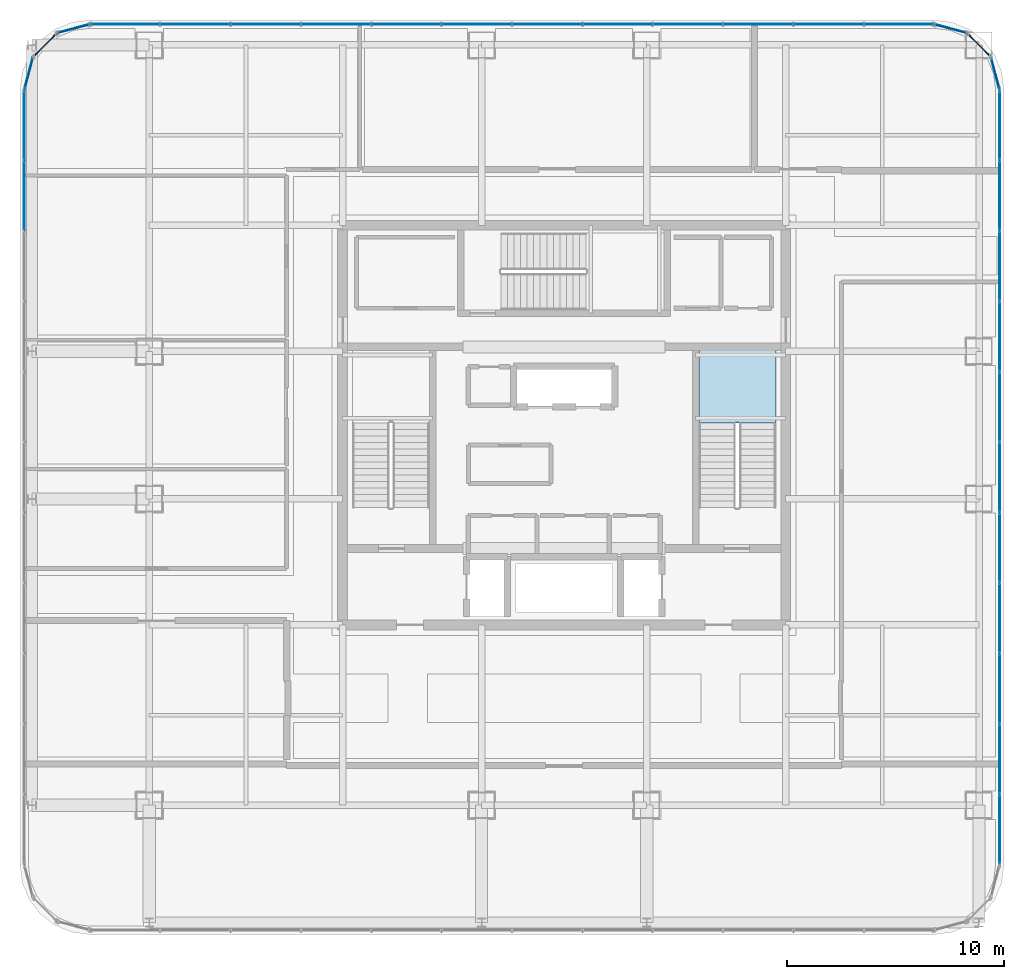
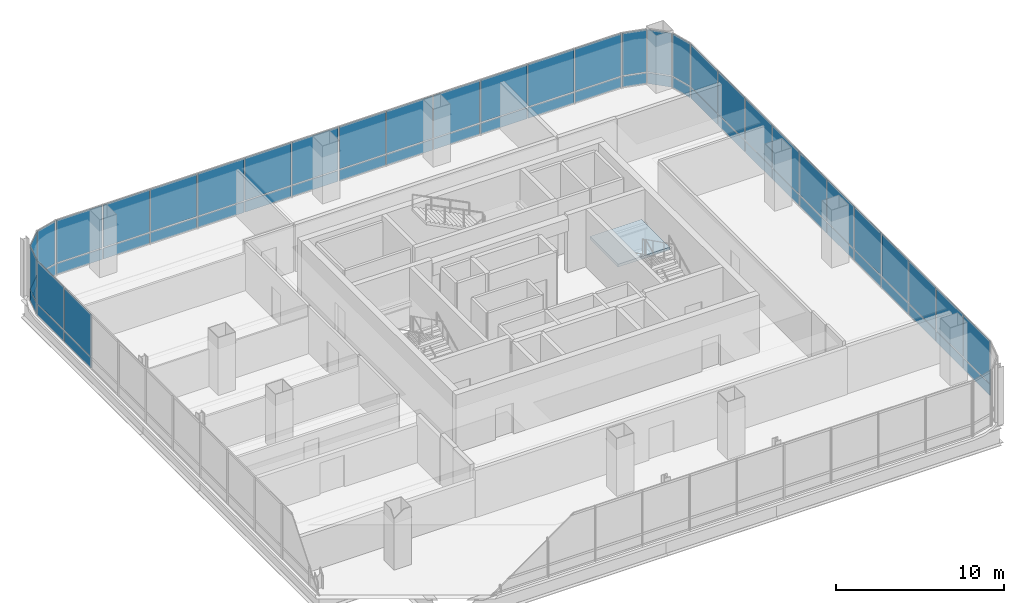
# One storey, part 34 of 42: 62 plates, 1 slab, 10 elements without a shape of their own.
"""IFC4 building model written with IfcOpenShell, lengths in metres."""

from ifc_helpers import new_model, si_unit, direction, frame, origin, origin_2d, place, context, subcontext, project, spatial, polyline, rectangle, outline, extrude, material, layer, layer_set, type_object, element, aggregate, save


model = new_model("IFC4")

# Units and contexts
model_context = context("Model", 3, precision=1e-05, world=origin(), true_north=direction((0.0, 1.0)))
body_context = subcontext(model_context, "Body", "Model", "MODEL_VIEW")
ifc_project = project(units=[si_unit("LENGTHUNIT", "METRE"), si_unit("AREAUNIT", "SQUARE_METRE"), si_unit("VOLUMEUNIT", "CUBIC_METRE"), si_unit("PLANEANGLEUNIT", "RADIAN"), si_unit("MASSUNIT", "GRAM", prefix="KILO")], contexts=[model_context])

# Site, building, storey
site_placement = place(None, origin())
site = spatial("IfcSite", under=ifc_project, at=site_placement, CompositionType="ELEMENT")
building_placement = place(site_placement, origin())
building = spatial("IfcBuilding", under=site, at=building_placement, Name="Punatoya Terracotta Tower", CompositionType="ELEMENT")
storey_placement = place(building_placement, frame((0.0, 0.0, 325.800048828125)))
storey = spatial("IfcBuildingStorey", under=building, at=storey_placement, Name="L77", CompositionType="ELEMENT", Elevation=325.800048828125)

# Curtain wall, plates
ifc_material_1 = material(Name="Aluminium 6063-T6 + Double Low-E Glass", Category="aluminium")
curtain_wall_type = type_object("IfcCurtainWallType", Name="CW-OBS", PredefinedType="NOTDEFINED", material=ifc_material_1)
curtain_wall_1_placement = place(storey_placement, origin())
curtain_wall_1 = element("IfcCurtainWall", 1, at=curtain_wall_1_placement, inside=storey, type_object=curtain_wall_type, Name="L77 Curtain Wall CW-L77-E05-1", PredefinedType="NOTDEFINED")
ifc_material_2 = material(Name="Laminated Observation Low-Iron Glass", Category="glass")
ifc_layer_1 = layer(ifc_material_2, 0.0380859375)
ifc_layer_set_1 = layer_set([ifc_layer_1], Name="Laminated Observation Low-Iron Glass")
plate_type_1 = type_object("IfcPlateType", Name="PLT-GLZ-38", PredefinedType="CURTAIN_PANEL", material=ifc_layer_set_1)
plate_1_placement = place(storey_placement, frame((20.050048828125, -18.615478515625, 0.89013671875), z_axis=(0.0, 0.0, 1.0), x_axis=(0.0, 1.0, 0.0)))
plate_1 = element("IfcPlate", 2, at=plate_1_placement, type_object=plate_type_1, Name="CW-L77-E05-1 Vision Glass Panel 1", PredefinedType="CURTAIN_PANEL", context=body_context, shape_type="SweptSolid", body=[
    extrude(rectangle(XDim=3.158203125, YDim=0.0380859375, at=origin_2d()), origin(), (0.0, 0.0, 1.0), 3.070068359375),
])
plate_2_placement = place(storey_placement, frame((20.050048828125, -15.372314453125, 0.89013671875), z_axis=(0.0, 0.0, 1.0), x_axis=(0.0, 1.0, 0.0)))
plate_2 = element("IfcPlate", 3, at=plate_2_placement, type_object=plate_type_1, Name="CW-L77-E05-1 Vision Glass Panel 2", PredefinedType="CURTAIN_PANEL", context=body_context, shape_type="SweptSolid", body=[
    extrude(rectangle(XDim=3.158203125, YDim=0.0380859375, at=origin_2d()), origin(), (0.0, 0.0, 1.0), 3.070068359375),
])
plate_3_placement = place(storey_placement, frame((20.050048828125, -12.129150390625, 0.89013671875), z_axis=(0.0, 0.0, 1.0), x_axis=(0.0, 1.0, 0.0)))
plate_3 = element("IfcPlate", 4, at=plate_3_placement, type_object=plate_type_1, Name="CW-L77-E05-1 Vision Glass Panel 3", PredefinedType="CURTAIN_PANEL", context=body_context, shape_type="SweptSolid", body=[
    extrude(rectangle(XDim=3.158203125, YDim=0.0380859375, at=origin_2d()), origin(), (0.0, 0.0, 1.0), 3.070068359375),
])
plate_4_placement = place(storey_placement, frame((20.050048828125, -8.885986328125, 0.89013671875), z_axis=(0.0, 0.0, 1.0), x_axis=(0.0, 1.0, 0.0)))
plate_4 = element("IfcPlate", 5, at=plate_4_placement, type_object=plate_type_1, Name="CW-L77-E05-1 Vision Glass Panel 4", PredefinedType="CURTAIN_PANEL", context=body_context, shape_type="SweptSolid", body=[
    extrude(rectangle(XDim=3.158203125, YDim=0.0380859375, at=origin_2d()), origin(), (0.0, 0.0, 1.0), 3.070068359375),
])
plate_5_placement = place(storey_placement, frame((20.050048828125, -5.64306640625, 0.89013671875), z_axis=(0.0, 0.0, 1.0), x_axis=(0.0, 1.0, 0.0)))
plate_5 = element("IfcPlate", 6, at=plate_5_placement, type_object=plate_type_1, Name="CW-L77-E05-1 Vision Glass Panel 5", PredefinedType="CURTAIN_PANEL", context=body_context, shape_type="SweptSolid", body=[
    extrude(rectangle(XDim=3.158203125, YDim=0.0380859375, at=origin_2d()), origin(), (0.0, 0.0, 1.0), 3.070068359375),
])
plate_6_placement = place(storey_placement, frame((20.050048828125, -2.39990234375, 0.89013671875), z_axis=(0.0, 0.0, 1.0), x_axis=(0.0, 1.0, 0.0)))
plate_6 = element("IfcPlate", 7, at=plate_6_placement, type_object=plate_type_1, Name="CW-L77-E05-1 Vision Glass Panel 6", PredefinedType="CURTAIN_PANEL", context=body_context, shape_type="SweptSolid", body=[
    extrude(rectangle(XDim=3.158203125, YDim=0.0380859375, at=origin_2d()), origin(), (0.0, 0.0, 1.0), 3.070068359375),
])
plate_7_placement = place(storey_placement, frame((20.050048828125, 0.843017578125, 0.89013671875), z_axis=(0.0, 0.0, 1.0), x_axis=(0.0, 1.0, 0.0)))
plate_7 = element("IfcPlate", 8, at=plate_7_placement, type_object=plate_type_1, Name="CW-L77-E05-1 Vision Glass Panel 7", PredefinedType="CURTAIN_PANEL", context=body_context, shape_type="SweptSolid", body=[
    extrude(rectangle(XDim=3.158203125, YDim=0.0380859375, at=origin_2d()), origin(), (0.0, 0.0, 1.0), 3.070068359375),
])
plate_8_placement = place(storey_placement, frame((20.050048828125, 4.086181640625, 0.89013671875), z_axis=(0.0, 0.0, 1.0), x_axis=(0.0, 1.0, 0.0)))
plate_8 = element("IfcPlate", 9, at=plate_8_placement, type_object=plate_type_1, Name="CW-L77-E05-1 Vision Glass Panel 8", PredefinedType="CURTAIN_PANEL", context=body_context, shape_type="SweptSolid", body=[
    extrude(rectangle(XDim=3.158203125, YDim=0.0380859375, at=origin_2d()), origin(), (0.0, 0.0, 1.0), 3.070068359375),
])
plate_9_placement = place(storey_placement, frame((20.050048828125, 7.3291015625, 0.89013671875), z_axis=(0.0, 0.0, 1.0), x_axis=(0.0, 1.0, 0.0)))
plate_9 = element("IfcPlate", 10, at=plate_9_placement, type_object=plate_type_1, Name="CW-L77-E05-1 Vision Glass Panel 9", PredefinedType="CURTAIN_PANEL", context=body_context, shape_type="SweptSolid", body=[
    extrude(rectangle(XDim=3.158203125, YDim=0.0380859375, at=origin_2d()), origin(), (0.0, 0.0, 1.0), 3.070068359375),
])
plate_10_placement = place(storey_placement, frame((20.050048828125, 10.572265625, 0.89013671875), z_axis=(0.0, 0.0, 1.0), x_axis=(0.0, 1.0, 0.0)))
plate_10 = element("IfcPlate", 11, at=plate_10_placement, type_object=plate_type_1, Name="CW-L77-E05-1 Vision Glass Panel 10", PredefinedType="CURTAIN_PANEL", context=body_context, shape_type="SweptSolid", body=[
    extrude(rectangle(XDim=3.158203125, YDim=0.0380859375, at=origin_2d()), origin(), (0.0, 0.0, 1.0), 3.070068359375),
])
plate_11_placement = place(storey_placement, frame((20.050048828125, 13.8154296875, 0.89013671875), z_axis=(0.0, 0.0, 1.0), x_axis=(0.0, 1.0, 0.0)))
plate_11 = element("IfcPlate", 12, at=plate_11_placement, type_object=plate_type_1, Name="CW-L77-E05-1 Vision Glass Panel 11", PredefinedType="CURTAIN_PANEL", context=body_context, shape_type="SweptSolid", body=[
    extrude(rectangle(XDim=3.158203125, YDim=0.0380859375, at=origin_2d()), origin(), (0.0, 0.0, 1.0), 3.070068359375),
])

# Curtain wall, plate
curtain_wall_2_placement = place(storey_placement, origin())
curtain_wall_2 = element("IfcCurtainWall", 13, at=curtain_wall_2_placement, inside=storey, type_object=curtain_wall_type, Name="L77 Curtain Wall CW-L77-CRN06", PredefinedType="NOTDEFINED")
plate_12_placement = place(storey_placement, frame((19.848388671875, 16.193115234375, 0.89013671875), z_axis=(0.0, 0.0, 1.0), x_axis=(-0.257741620719, 0.966213877436, 0.0)))
plate_12 = element("IfcPlate", 14, at=plate_12_placement, type_object=plate_type_1, Name="CW-L77-CRN06 Vision Glass Panel 1", PredefinedType="CURTAIN_PANEL", context=body_context, shape_type="SweptSolid", body=[
    extrude(rectangle(XDim=1.47998046875, YDim=0.0380859375, at=origin_2d()), origin(), (0.0, 0.0, 1.0), 3.070068359375),
])

curtain_wall_3_placement = place(storey_placement, origin())
curtain_wall_3 = element("IfcCurtainWall", 15, at=curtain_wall_3_placement, inside=storey, type_object=curtain_wall_type, Name="L77 Curtain Wall CW-L77-CRN07", PredefinedType="NOTDEFINED")
plate_13_placement = place(storey_placement, frame((19.097900390625, 17.497802734375, 0.89013671875), z_axis=(0.0, 0.0, 1.0), x_axis=(-0.707106781187, 0.707106781187, 0.0)))
plate_13 = element("IfcPlate", 16, at=plate_13_placement, type_object=plate_type_1, Name="CW-L77-CRN07 Vision Glass Panel 1", PredefinedType="CURTAIN_PANEL", context=body_context, shape_type="SweptSolid", body=[
    extrude(rectangle(XDim=1.467041015625, YDim=0.0380859375, at=origin_2d()), origin(), (0.0, 0.0, 1.0), 3.070068359375),
])

curtain_wall_4_placement = place(storey_placement, origin())
curtain_wall_4 = element("IfcCurtainWall", 17, at=curtain_wall_4_placement, inside=storey, type_object=curtain_wall_type, Name="L77 Curtain Wall CW-L77-CRN08", PredefinedType="NOTDEFINED")
plate_14_placement = place(storey_placement, frame((17.79296875, 18.248291015625, 0.89013671875), z_axis=(0.0, 0.0, 1.0), x_axis=(-0.966213877436, 0.257741620719, 0.0)))
plate_14 = element("IfcPlate", 18, at=plate_14_placement, type_object=plate_type_1, Name="CW-L77-CRN08 Vision Glass Panel 1", PredefinedType="CURTAIN_PANEL", context=body_context, shape_type="SweptSolid", body=[
    extrude(rectangle(XDim=1.47998046875, YDim=0.0380859375, at=origin_2d()), origin(), (0.0, 0.0, 1.0), 3.070068359375),
])

# Curtain wall, plates
curtain_wall_5_placement = place(storey_placement, origin())
curtain_wall_5 = element("IfcCurtainWall", 19, at=curtain_wall_5_placement, inside=storey, type_object=curtain_wall_type, Name="L77 Curtain Wall CW-L77-N09-1", PredefinedType="NOTDEFINED")
plate_15_placement = place(storey_placement, frame((15.417236328125, 18.449951171875, 0.89013671875), z_axis=(0.0, 0.0, 1.0), x_axis=(-1.0, 0.0, 0.0)))
plate_15 = element("IfcPlate", 20, at=plate_15_placement, type_object=plate_type_1, Name="CW-L77-N09-1 Vision Glass Panel 1", PredefinedType="CURTAIN_PANEL", context=body_context, shape_type="SweptSolid", body=[
    extrude(rectangle(XDim=3.154541015625, YDim=0.0380859375, at=origin_2d()), origin(), (0.0, 0.0, 1.0), 3.070068359375),
])
plate_16_placement = place(storey_placement, frame((12.177734375, 18.449951171875, 0.89013671875), z_axis=(0.0, 0.0, 1.0), x_axis=(-1.0, 0.0, 0.0)))
plate_16 = element("IfcPlate", 21, at=plate_16_placement, type_object=plate_type_1, Name="CW-L77-N09-1 Vision Glass Panel 2", PredefinedType="CURTAIN_PANEL", context=body_context, shape_type="SweptSolid", body=[
    extrude(rectangle(XDim=3.154541015625, YDim=0.0380859375, at=origin_2d()), origin(), (0.0, 0.0, 1.0), 3.070068359375),
])
plate_17_placement = place(storey_placement, frame((8.938232421875, 18.449951171875, 0.89013671875), z_axis=(0.0, 0.0, 1.0), x_axis=(-1.0, 0.0, 0.0)))
plate_17 = element("IfcPlate", 22, at=plate_17_placement, type_object=plate_type_1, Name="CW-L77-N09-1 Vision Glass Panel 3", PredefinedType="CURTAIN_PANEL", context=body_context, shape_type="SweptSolid", body=[
    extrude(rectangle(XDim=3.154541015625, YDim=0.0380859375, at=origin_2d()), origin(), (0.0, 0.0, 1.0), 3.070068359375),
])
plate_18_placement = place(storey_placement, frame((5.69873046875, 18.449951171875, 0.89013671875), z_axis=(0.0, 0.0, 1.0), x_axis=(-1.0, 0.0, 0.0)))
plate_18 = element("IfcPlate", 23, at=plate_18_placement, type_object=plate_type_1, Name="CW-L77-N09-1 Vision Glass Panel 4", PredefinedType="CURTAIN_PANEL", context=body_context, shape_type="SweptSolid", body=[
    extrude(rectangle(XDim=3.154541015625, YDim=0.0380859375, at=origin_2d()), origin(), (0.0, 0.0, 1.0), 3.070068359375),
])
plate_19_placement = place(storey_placement, frame((2.459228515625, 18.449951171875, 0.89013671875), z_axis=(0.0, 0.0, 1.0), x_axis=(-1.0, 0.0, 0.0)))
plate_19 = element("IfcPlate", 24, at=plate_19_placement, type_object=plate_type_1, Name="CW-L77-N09-1 Vision Glass Panel 5", PredefinedType="CURTAIN_PANEL", context=body_context, shape_type="SweptSolid", body=[
    extrude(rectangle(XDim=3.154541015625, YDim=0.0380859375, at=origin_2d()), origin(), (0.0, 0.0, 1.0), 3.070068359375),
])
plate_20_placement = place(storey_placement, frame((-0.7802734375, 18.449951171875, 0.89013671875), z_axis=(0.0, 0.0, 1.0), x_axis=(-1.0, 0.0, 0.0)))
plate_20 = element("IfcPlate", 25, at=plate_20_placement, type_object=plate_type_1, Name="CW-L77-N09-1 Vision Glass Panel 6", PredefinedType="CURTAIN_PANEL", context=body_context, shape_type="SweptSolid", body=[
    extrude(rectangle(XDim=3.154541015625, YDim=0.0380859375, at=origin_2d()), origin(), (0.0, 0.0, 1.0), 3.070068359375),
])
plate_21_placement = place(storey_placement, frame((-4.019775390625, 18.449951171875, 0.89013671875), z_axis=(0.0, 0.0, 1.0), x_axis=(-1.0, 0.0, 0.0)))
plate_21 = element("IfcPlate", 26, at=plate_21_placement, type_object=plate_type_1, Name="CW-L77-N09-1 Vision Glass Panel 7", PredefinedType="CURTAIN_PANEL", context=body_context, shape_type="SweptSolid", body=[
    extrude(rectangle(XDim=3.154541015625, YDim=0.0380859375, at=origin_2d()), origin(), (0.0, 0.0, 1.0), 3.070068359375),
])
plate_22_placement = place(storey_placement, frame((-7.25927734375, 18.449951171875, 0.89013671875), z_axis=(0.0, 0.0, 1.0), x_axis=(-1.0, 0.0, 0.0)))
plate_22 = element("IfcPlate", 27, at=plate_22_placement, type_object=plate_type_1, Name="CW-L77-N09-1 Vision Glass Panel 8", PredefinedType="CURTAIN_PANEL", context=body_context, shape_type="SweptSolid", body=[
    extrude(rectangle(XDim=3.154541015625, YDim=0.0380859375, at=origin_2d()), origin(), (0.0, 0.0, 1.0), 3.070068359375),
])
plate_23_placement = place(storey_placement, frame((-10.498779296875, 18.449951171875, 0.89013671875), z_axis=(0.0, 0.0, 1.0), x_axis=(-1.0, 0.0, 0.0)))
plate_23 = element("IfcPlate", 28, at=plate_23_placement, type_object=plate_type_1, Name="CW-L77-N09-1 Vision Glass Panel 9", PredefinedType="CURTAIN_PANEL", context=body_context, shape_type="SweptSolid", body=[
    extrude(rectangle(XDim=3.154541015625, YDim=0.0380859375, at=origin_2d()), origin(), (0.0, 0.0, 1.0), 3.070068359375),
])
plate_24_placement = place(storey_placement, frame((-13.73828125, 18.449951171875, 0.89013671875), z_axis=(0.0, 0.0, 1.0), x_axis=(-1.0, 0.0, 0.0)))
plate_24 = element("IfcPlate", 29, at=plate_24_placement, type_object=plate_type_1, Name="CW-L77-N09-1 Vision Glass Panel 10", PredefinedType="CURTAIN_PANEL", context=body_context, shape_type="SweptSolid", body=[
    extrude(rectangle(XDim=3.154541015625, YDim=0.0380859375, at=origin_2d()), origin(), (0.0, 0.0, 1.0), 3.070068359375),
])
plate_25_placement = place(storey_placement, frame((-16.977783203125, 18.449951171875, 0.89013671875), z_axis=(0.0, 0.0, 1.0), x_axis=(-1.0, 0.0, 0.0)))
plate_25 = element("IfcPlate", 30, at=plate_25_placement, type_object=plate_type_1, Name="CW-L77-N09-1 Vision Glass Panel 11", PredefinedType="CURTAIN_PANEL", context=body_context, shape_type="SweptSolid", body=[
    extrude(rectangle(XDim=3.154541015625, YDim=0.0380859375, at=origin_2d()), origin(), (0.0, 0.0, 1.0), 3.070068359375),
])
plate_26_placement = place(storey_placement, frame((-20.21728515625, 18.449951171875, 0.89013671875), z_axis=(0.0, 0.0, 1.0), x_axis=(-1.0, 0.0, 0.0)))
plate_26 = element("IfcPlate", 31, at=plate_26_placement, type_object=plate_type_1, Name="CW-L77-N09-1 Vision Glass Panel 12", PredefinedType="CURTAIN_PANEL", context=body_context, shape_type="SweptSolid", body=[
    extrude(rectangle(XDim=3.154541015625, YDim=0.0380859375, at=origin_2d()), origin(), (0.0, 0.0, 1.0), 3.070068359375),
])

# Curtain wall, plate
curtain_wall_6_placement = place(storey_placement, origin())
curtain_wall_6 = element("IfcCurtainWall", 32, at=curtain_wall_6_placement, inside=storey, type_object=curtain_wall_type, Name="L77 Curtain Wall CW-L77-CRN10", PredefinedType="NOTDEFINED")
plate_27_placement = place(storey_placement, frame((-22.593017578125, 18.248291015625, 0.89013671875), z_axis=(0.0, 0.0, 1.0), x_axis=(-0.966213877436, -0.257741620719, 0.0)))
plate_27 = element("IfcPlate", 33, at=plate_27_placement, type_object=plate_type_1, Name="CW-L77-CRN10 Vision Glass Panel 1", PredefinedType="CURTAIN_PANEL", context=body_context, shape_type="SweptSolid", body=[
    extrude(rectangle(XDim=1.47998046875, YDim=0.0380859375, at=origin_2d()), origin(), (0.0, 0.0, 1.0), 3.070068359375),
])

curtain_wall_7_placement = place(storey_placement, origin())
curtain_wall_7 = element("IfcCurtainWall", 34, at=curtain_wall_7_placement, inside=storey, type_object=curtain_wall_type, Name="L77 Curtain Wall CW-L77-CRN11", PredefinedType="NOTDEFINED")
plate_28_placement = place(storey_placement, frame((-23.89794921875, 17.497802734375, 0.89013671875), z_axis=(0.0, 0.0, 1.0), x_axis=(-0.707106781187, -0.707106781187, 0.0)))
plate_28 = element("IfcPlate", 35, at=plate_28_placement, type_object=plate_type_1, Name="CW-L77-CRN11 Vision Glass Panel 1", PredefinedType="CURTAIN_PANEL", context=body_context, shape_type="SweptSolid", body=[
    extrude(rectangle(XDim=1.467041015625, YDim=0.0380859375, at=origin_2d()), origin(), (0.0, 0.0, 1.0), 3.070068359375),
])

curtain_wall_8_placement = place(storey_placement, origin())
curtain_wall_8 = element("IfcCurtainWall", 36, at=curtain_wall_8_placement, inside=storey, type_object=curtain_wall_type, Name="L77 Curtain Wall CW-L77-CRN12", PredefinedType="NOTDEFINED")
plate_29_placement = place(storey_placement, frame((-24.648193359375, 16.193115234375, 0.89013671875), z_axis=(0.0, 0.0, 1.0), x_axis=(-0.257741620719, -0.966213877436, 0.0)))
plate_29 = element("IfcPlate", 37, at=plate_29_placement, type_object=plate_type_1, Name="CW-L77-CRN12 Vision Glass Panel 1", PredefinedType="CURTAIN_PANEL", context=body_context, shape_type="SweptSolid", body=[
    extrude(rectangle(XDim=1.47998046875, YDim=0.0380859375, at=origin_2d()), origin(), (0.0, 0.0, 1.0), 3.070068359375),
])

# Curtain wall, plates
curtain_wall_9_placement = place(storey_placement, origin())
curtain_wall_9 = element("IfcCurtainWall", 38, at=curtain_wall_9_placement, inside=storey, type_object=curtain_wall_type, Name="L77 Curtain Wall CW-L77-W13-1", PredefinedType="NOTDEFINED")
plate_30_placement = place(storey_placement, frame((-24.85009765625, 13.8154296875, 0.89013671875), z_axis=(0.0, 0.0, 1.0), x_axis=(0.0, -1.0, 0.0)))
plate_30 = element("IfcPlate", 39, at=plate_30_placement, type_object=plate_type_1, Name="CW-L77-W13-1 Vision Glass Panel 1", PredefinedType="CURTAIN_PANEL", context=body_context, shape_type="SweptSolid", body=[
    extrude(rectangle(XDim=3.158203125, YDim=0.0380859375, at=origin_2d()), origin(), (0.0, 0.0, 1.0), 3.070068359375),
])
plate_31_placement = place(storey_placement, frame((-24.85009765625, 10.572265625, 0.89013671875), z_axis=(0.0, 0.0, 1.0), x_axis=(0.0, -1.0, 0.0)))
plate_31 = element("IfcPlate", 40, at=plate_31_placement, type_object=plate_type_1, Name="CW-L77-W13-1 Vision Glass Panel 2", PredefinedType="CURTAIN_PANEL", context=body_context, shape_type="SweptSolid", body=[
    extrude(rectangle(XDim=3.158203125, YDim=0.0380859375, at=origin_2d()), origin(), (0.0, 0.0, 1.0), 3.070068359375),
])

# Plate
ifc_material_3 = material(Name="Insulated Terracotta-Backed Spandrel Panel", Category="masonry")
ifc_layer_2 = layer(ifc_material_3, 0.044921875)
ifc_layer_set_2 = layer_set([ifc_layer_2], Name="Insulated Terracotta-Backed Spandrel Panel")
plate_type_2 = type_object("IfcPlateType", Name="PLT-SPN-45", PredefinedType="CURTAIN_PANEL", material=ifc_layer_set_2)
plate_32_placement = place(storey_placement, frame((20.050048828125, -18.615478515625, 0.0400390625), z_axis=(0.0, 0.0, 1.0), x_axis=(0.0, 1.0, 0.0)))
plate_32 = element("IfcPlate", 41, at=plate_32_placement, type_object=plate_type_2, Name="CW-L77-E05-1 Terracotta Spandrel Panel 1", PredefinedType="CURTAIN_PANEL", context=body_context, shape_type="SweptSolid", body=[
    extrude(rectangle(XDim=3.158203125, YDim=0.044921875, at=origin_2d()), origin(), (0.0, 0.0, 1.0), 0.77490234375),
])

plate_33_placement = place(storey_placement, frame((20.050048828125, -15.372314453125, 0.0400390625), z_axis=(0.0, 0.0, 1.0), x_axis=(0.0, 1.0, 0.0)))
plate_33 = element("IfcPlate", 42, at=plate_33_placement, type_object=plate_type_2, Name="CW-L77-E05-1 Terracotta Spandrel Panel 2", PredefinedType="CURTAIN_PANEL", context=body_context, shape_type="SweptSolid", body=[
    extrude(rectangle(XDim=3.158203125, YDim=0.044921875, at=origin_2d()), origin(), (0.0, 0.0, 1.0), 0.77490234375),
])

plate_34_placement = place(storey_placement, frame((20.050048828125, -12.129150390625, 0.0400390625), z_axis=(0.0, 0.0, 1.0), x_axis=(0.0, 1.0, 0.0)))
plate_34 = element("IfcPlate", 43, at=plate_34_placement, type_object=plate_type_2, Name="CW-L77-E05-1 Terracotta Spandrel Panel 3", PredefinedType="CURTAIN_PANEL", context=body_context, shape_type="SweptSolid", body=[
    extrude(rectangle(XDim=3.158203125, YDim=0.044921875, at=origin_2d()), origin(), (0.0, 0.0, 1.0), 0.77490234375),
])

plate_35_placement = place(storey_placement, frame((20.050048828125, -8.885986328125, 0.0400390625), z_axis=(0.0, 0.0, 1.0), x_axis=(0.0, 1.0, 0.0)))
plate_35 = element("IfcPlate", 44, at=plate_35_placement, type_object=plate_type_2, Name="CW-L77-E05-1 Terracotta Spandrel Panel 4", PredefinedType="CURTAIN_PANEL", context=body_context, shape_type="SweptSolid", body=[
    extrude(rectangle(XDim=3.158203125, YDim=0.044921875, at=origin_2d()), origin(), (0.0, 0.0, 1.0), 0.77490234375),
])

plate_36_placement = place(storey_placement, frame((20.050048828125, -5.64306640625, 0.0400390625), z_axis=(0.0, 0.0, 1.0), x_axis=(0.0, 1.0, 0.0)))
plate_36 = element("IfcPlate", 45, at=plate_36_placement, type_object=plate_type_2, Name="CW-L77-E05-1 Terracotta Spandrel Panel 5", PredefinedType="CURTAIN_PANEL", context=body_context, shape_type="SweptSolid", body=[
    extrude(rectangle(XDim=3.158203125, YDim=0.044921875, at=origin_2d()), origin(), (0.0, 0.0, 1.0), 0.77490234375),
])

plate_37_placement = place(storey_placement, frame((20.050048828125, -2.39990234375, 0.0400390625), z_axis=(0.0, 0.0, 1.0), x_axis=(0.0, 1.0, 0.0)))
plate_37 = element("IfcPlate", 46, at=plate_37_placement, type_object=plate_type_2, Name="CW-L77-E05-1 Terracotta Spandrel Panel 6", PredefinedType="CURTAIN_PANEL", context=body_context, shape_type="SweptSolid", body=[
    extrude(rectangle(XDim=3.158203125, YDim=0.044921875, at=origin_2d()), origin(), (0.0, 0.0, 1.0), 0.77490234375),
])

plate_38_placement = place(storey_placement, frame((20.050048828125, 0.843017578125, 0.0400390625), z_axis=(0.0, 0.0, 1.0), x_axis=(0.0, 1.0, 0.0)))
plate_38 = element("IfcPlate", 47, at=plate_38_placement, type_object=plate_type_2, Name="CW-L77-E05-1 Terracotta Spandrel Panel 7", PredefinedType="CURTAIN_PANEL", context=body_context, shape_type="SweptSolid", body=[
    extrude(rectangle(XDim=3.158203125, YDim=0.044921875, at=origin_2d()), origin(), (0.0, 0.0, 1.0), 0.77490234375),
])

plate_39_placement = place(storey_placement, frame((20.050048828125, 4.086181640625, 0.0400390625), z_axis=(0.0, 0.0, 1.0), x_axis=(0.0, 1.0, 0.0)))
plate_39 = element("IfcPlate", 48, at=plate_39_placement, type_object=plate_type_2, Name="CW-L77-E05-1 Terracotta Spandrel Panel 8", PredefinedType="CURTAIN_PANEL", context=body_context, shape_type="SweptSolid", body=[
    extrude(rectangle(XDim=3.158203125, YDim=0.044921875, at=origin_2d()), origin(), (0.0, 0.0, 1.0), 0.77490234375),
])

plate_40_placement = place(storey_placement, frame((20.050048828125, 7.3291015625, 0.0400390625), z_axis=(0.0, 0.0, 1.0), x_axis=(0.0, 1.0, 0.0)))
plate_40 = element("IfcPlate", 49, at=plate_40_placement, type_object=plate_type_2, Name="CW-L77-E05-1 Terracotta Spandrel Panel 9", PredefinedType="CURTAIN_PANEL", context=body_context, shape_type="SweptSolid", body=[
    extrude(rectangle(XDim=3.158203125, YDim=0.044921875, at=origin_2d()), origin(), (0.0, 0.0, 1.0), 0.77490234375),
])

plate_41_placement = place(storey_placement, frame((20.050048828125, 10.572265625, 0.0400390625), z_axis=(0.0, 0.0, 1.0), x_axis=(0.0, 1.0, 0.0)))
plate_41 = element("IfcPlate", 50, at=plate_41_placement, type_object=plate_type_2, Name="CW-L77-E05-1 Terracotta Spandrel Panel 10", PredefinedType="CURTAIN_PANEL", context=body_context, shape_type="SweptSolid", body=[
    extrude(rectangle(XDim=3.158203125, YDim=0.044921875, at=origin_2d()), origin(), (0.0, 0.0, 1.0), 0.77490234375),
])

plate_42_placement = place(storey_placement, frame((20.050048828125, 13.8154296875, 0.0400390625), z_axis=(0.0, 0.0, 1.0), x_axis=(0.0, 1.0, 0.0)))
plate_42 = element("IfcPlate", 51, at=plate_42_placement, type_object=plate_type_2, Name="CW-L77-E05-1 Terracotta Spandrel Panel 11", PredefinedType="CURTAIN_PANEL", context=body_context, shape_type="SweptSolid", body=[
    extrude(rectangle(XDim=3.158203125, YDim=0.044921875, at=origin_2d()), origin(), (0.0, 0.0, 1.0), 0.77490234375),
])

aggregate(curtain_wall_1, [plate_32, plate_1, plate_33, plate_2, plate_34, plate_3, plate_35, plate_4, plate_36, plate_5, plate_37, plate_6, plate_38, plate_7, plate_39, plate_8, plate_40, plate_9, plate_41, plate_10, plate_42, plate_11])

plate_43_placement = place(storey_placement, frame((19.848388671875, 16.193115234375, 0.0400390625), z_axis=(0.0, 0.0, 1.0), x_axis=(-0.257741620719, 0.966213877436, 0.0)))
plate_43 = element("IfcPlate", 52, at=plate_43_placement, type_object=plate_type_2, Name="CW-L77-CRN06 Terracotta Spandrel Panel 1", PredefinedType="CURTAIN_PANEL", context=body_context, shape_type="SweptSolid", body=[
    extrude(rectangle(XDim=1.47998046875, YDim=0.044921875, at=origin_2d()), origin(), (0.0, 0.0, 1.0), 0.77490234375),
])

aggregate(curtain_wall_2, [plate_43, plate_12])

plate_44_placement = place(storey_placement, frame((19.097900390625, 17.497802734375, 0.0400390625), z_axis=(0.0, 0.0, 1.0), x_axis=(-0.707106781187, 0.707106781187, 0.0)))
plate_44 = element("IfcPlate", 53, at=plate_44_placement, type_object=plate_type_2, Name="CW-L77-CRN07 Terracotta Spandrel Panel 1", PredefinedType="CURTAIN_PANEL", context=body_context, shape_type="SweptSolid", body=[
    extrude(rectangle(XDim=1.467041015625, YDim=0.044921875, at=origin_2d()), origin(), (0.0, 0.0, 1.0), 0.77490234375),
])

aggregate(curtain_wall_3, [plate_44, plate_13])

plate_45_placement = place(storey_placement, frame((17.79296875, 18.248291015625, 0.0400390625), z_axis=(0.0, 0.0, 1.0), x_axis=(-0.966213877436, 0.257741620719, 0.0)))
plate_45 = element("IfcPlate", 54, at=plate_45_placement, type_object=plate_type_2, Name="CW-L77-CRN08 Terracotta Spandrel Panel 1", PredefinedType="CURTAIN_PANEL", context=body_context, shape_type="SweptSolid", body=[
    extrude(rectangle(XDim=1.47998046875, YDim=0.044921875, at=origin_2d()), origin(), (0.0, 0.0, 1.0), 0.77490234375),
])

aggregate(curtain_wall_4, [plate_45, plate_14])

plate_46_placement = place(storey_placement, frame((15.417236328125, 18.449951171875, 0.0400390625), z_axis=(0.0, 0.0, 1.0), x_axis=(-1.0, 0.0, 0.0)))
plate_46 = element("IfcPlate", 55, at=plate_46_placement, type_object=plate_type_2, Name="CW-L77-N09-1 Terracotta Spandrel Panel 1", PredefinedType="CURTAIN_PANEL", context=body_context, shape_type="SweptSolid", body=[
    extrude(rectangle(XDim=3.154541015625, YDim=0.044921875, at=origin_2d()), origin(), (0.0, 0.0, 1.0), 0.77490234375),
])

plate_47_placement = place(storey_placement, frame((12.177734375, 18.449951171875, 0.0400390625), z_axis=(0.0, 0.0, 1.0), x_axis=(-1.0, 0.0, 0.0)))
plate_47 = element("IfcPlate", 56, at=plate_47_placement, type_object=plate_type_2, Name="CW-L77-N09-1 Terracotta Spandrel Panel 2", PredefinedType="CURTAIN_PANEL", context=body_context, shape_type="SweptSolid", body=[
    extrude(rectangle(XDim=3.154541015625, YDim=0.044921875, at=origin_2d()), origin(), (0.0, 0.0, 1.0), 0.77490234375),
])

plate_48_placement = place(storey_placement, frame((8.938232421875, 18.449951171875, 0.0400390625), z_axis=(0.0, 0.0, 1.0), x_axis=(-1.0, 0.0, 0.0)))
plate_48 = element("IfcPlate", 57, at=plate_48_placement, type_object=plate_type_2, Name="CW-L77-N09-1 Terracotta Spandrel Panel 3", PredefinedType="CURTAIN_PANEL", context=body_context, shape_type="SweptSolid", body=[
    extrude(rectangle(XDim=3.154541015625, YDim=0.044921875, at=origin_2d()), origin(), (0.0, 0.0, 1.0), 0.77490234375),
])

plate_49_placement = place(storey_placement, frame((5.69873046875, 18.449951171875, 0.0400390625), z_axis=(0.0, 0.0, 1.0), x_axis=(-1.0, 0.0, 0.0)))
plate_49 = element("IfcPlate", 58, at=plate_49_placement, type_object=plate_type_2, Name="CW-L77-N09-1 Terracotta Spandrel Panel 4", PredefinedType="CURTAIN_PANEL", context=body_context, shape_type="SweptSolid", body=[
    extrude(rectangle(XDim=3.154541015625, YDim=0.044921875, at=origin_2d()), origin(), (0.0, 0.0, 1.0), 0.77490234375),
])

plate_50_placement = place(storey_placement, frame((2.459228515625, 18.449951171875, 0.0400390625), z_axis=(0.0, 0.0, 1.0), x_axis=(-1.0, 0.0, 0.0)))
plate_50 = element("IfcPlate", 59, at=plate_50_placement, type_object=plate_type_2, Name="CW-L77-N09-1 Terracotta Spandrel Panel 5", PredefinedType="CURTAIN_PANEL", context=body_context, shape_type="SweptSolid", body=[
    extrude(rectangle(XDim=3.154541015625, YDim=0.044921875, at=origin_2d()), origin(), (0.0, 0.0, 1.0), 0.77490234375),
])

plate_51_placement = place(storey_placement, frame((-0.7802734375, 18.449951171875, 0.0400390625), z_axis=(0.0, 0.0, 1.0), x_axis=(-1.0, 0.0, 0.0)))
plate_51 = element("IfcPlate", 60, at=plate_51_placement, type_object=plate_type_2, Name="CW-L77-N09-1 Terracotta Spandrel Panel 6", PredefinedType="CURTAIN_PANEL", context=body_context, shape_type="SweptSolid", body=[
    extrude(rectangle(XDim=3.154541015625, YDim=0.044921875, at=origin_2d()), origin(), (0.0, 0.0, 1.0), 0.77490234375),
])

plate_52_placement = place(storey_placement, frame((-4.019775390625, 18.449951171875, 0.0400390625), z_axis=(0.0, 0.0, 1.0), x_axis=(-1.0, 0.0, 0.0)))
plate_52 = element("IfcPlate", 61, at=plate_52_placement, type_object=plate_type_2, Name="CW-L77-N09-1 Terracotta Spandrel Panel 7", PredefinedType="CURTAIN_PANEL", context=body_context, shape_type="SweptSolid", body=[
    extrude(rectangle(XDim=3.154541015625, YDim=0.044921875, at=origin_2d()), origin(), (0.0, 0.0, 1.0), 0.77490234375),
])

plate_53_placement = place(storey_placement, frame((-7.25927734375, 18.449951171875, 0.0400390625), z_axis=(0.0, 0.0, 1.0), x_axis=(-1.0, 0.0, 0.0)))
plate_53 = element("IfcPlate", 62, at=plate_53_placement, type_object=plate_type_2, Name="CW-L77-N09-1 Terracotta Spandrel Panel 8", PredefinedType="CURTAIN_PANEL", context=body_context, shape_type="SweptSolid", body=[
    extrude(rectangle(XDim=3.154541015625, YDim=0.044921875, at=origin_2d()), origin(), (0.0, 0.0, 1.0), 0.77490234375),
])

plate_54_placement = place(storey_placement, frame((-10.498779296875, 18.449951171875, 0.0400390625), z_axis=(0.0, 0.0, 1.0), x_axis=(-1.0, 0.0, 0.0)))
plate_54 = element("IfcPlate", 63, at=plate_54_placement, type_object=plate_type_2, Name="CW-L77-N09-1 Terracotta Spandrel Panel 9", PredefinedType="CURTAIN_PANEL", context=body_context, shape_type="SweptSolid", body=[
    extrude(rectangle(XDim=3.154541015625, YDim=0.044921875, at=origin_2d()), origin(), (0.0, 0.0, 1.0), 0.77490234375),
])

plate_55_placement = place(storey_placement, frame((-13.73828125, 18.449951171875, 0.0400390625), z_axis=(0.0, 0.0, 1.0), x_axis=(-1.0, 0.0, 0.0)))
plate_55 = element("IfcPlate", 64, at=plate_55_placement, type_object=plate_type_2, Name="CW-L77-N09-1 Terracotta Spandrel Panel 10", PredefinedType="CURTAIN_PANEL", context=body_context, shape_type="SweptSolid", body=[
    extrude(rectangle(XDim=3.154541015625, YDim=0.044921875, at=origin_2d()), origin(), (0.0, 0.0, 1.0), 0.77490234375),
])

plate_56_placement = place(storey_placement, frame((-16.977783203125, 18.449951171875, 0.0400390625), z_axis=(0.0, 0.0, 1.0), x_axis=(-1.0, 0.0, 0.0)))
plate_56 = element("IfcPlate", 65, at=plate_56_placement, type_object=plate_type_2, Name="CW-L77-N09-1 Terracotta Spandrel Panel 11", PredefinedType="CURTAIN_PANEL", context=body_context, shape_type="SweptSolid", body=[
    extrude(rectangle(XDim=3.154541015625, YDim=0.044921875, at=origin_2d()), origin(), (0.0, 0.0, 1.0), 0.77490234375),
])

plate_57_placement = place(storey_placement, frame((-20.21728515625, 18.449951171875, 0.0400390625), z_axis=(0.0, 0.0, 1.0), x_axis=(-1.0, 0.0, 0.0)))
plate_57 = element("IfcPlate", 66, at=plate_57_placement, type_object=plate_type_2, Name="CW-L77-N09-1 Terracotta Spandrel Panel 12", PredefinedType="CURTAIN_PANEL", context=body_context, shape_type="SweptSolid", body=[
    extrude(rectangle(XDim=3.154541015625, YDim=0.044921875, at=origin_2d()), origin(), (0.0, 0.0, 1.0), 0.77490234375),
])

aggregate(curtain_wall_5, [plate_46, plate_15, plate_47, plate_16, plate_48, plate_17, plate_49, plate_18, plate_50, plate_19, plate_51, plate_20, plate_52, plate_21, plate_53, plate_22, plate_54, plate_23, plate_55, plate_24, plate_56, plate_25, plate_57, plate_26])

plate_58_placement = place(storey_placement, frame((-22.593017578125, 18.248291015625, 0.0400390625), z_axis=(0.0, 0.0, 1.0), x_axis=(-0.966213877436, -0.257741620719, 0.0)))
plate_58 = element("IfcPlate", 67, at=plate_58_placement, type_object=plate_type_2, Name="CW-L77-CRN10 Terracotta Spandrel Panel 1", PredefinedType="CURTAIN_PANEL", context=body_context, shape_type="SweptSolid", body=[
    extrude(rectangle(XDim=1.47998046875, YDim=0.044921875, at=origin_2d()), origin(), (0.0, 0.0, 1.0), 0.77490234375),
])

aggregate(curtain_wall_6, [plate_58, plate_27])

plate_59_placement = place(storey_placement, frame((-23.89794921875, 17.497802734375, 0.0400390625), z_axis=(0.0, 0.0, 1.0), x_axis=(-0.707106781187, -0.707106781187, 0.0)))
plate_59 = element("IfcPlate", 68, at=plate_59_placement, type_object=plate_type_2, Name="CW-L77-CRN11 Terracotta Spandrel Panel 1", PredefinedType="CURTAIN_PANEL", context=body_context, shape_type="SweptSolid", body=[
    extrude(rectangle(XDim=1.467041015625, YDim=0.044921875, at=origin_2d()), origin(), (0.0, 0.0, 1.0), 0.77490234375),
])

aggregate(curtain_wall_7, [plate_59, plate_28])

plate_60_placement = place(storey_placement, frame((-24.648193359375, 16.193115234375, 0.0400390625), z_axis=(0.0, 0.0, 1.0), x_axis=(-0.257741620719, -0.966213877436, 0.0)))
plate_60 = element("IfcPlate", 69, at=plate_60_placement, type_object=plate_type_2, Name="CW-L77-CRN12 Terracotta Spandrel Panel 1", PredefinedType="CURTAIN_PANEL", context=body_context, shape_type="SweptSolid", body=[
    extrude(rectangle(XDim=1.47998046875, YDim=0.044921875, at=origin_2d()), origin(), (0.0, 0.0, 1.0), 0.77490234375),
])

aggregate(curtain_wall_8, [plate_60, plate_29])

plate_61_placement = place(storey_placement, frame((-24.85009765625, 13.8154296875, 0.0400390625), z_axis=(0.0, 0.0, 1.0), x_axis=(0.0, -1.0, 0.0)))
plate_61 = element("IfcPlate", 70, at=plate_61_placement, type_object=plate_type_2, Name="CW-L77-W13-1 Terracotta Spandrel Panel 1", PredefinedType="CURTAIN_PANEL", context=body_context, shape_type="SweptSolid", body=[
    extrude(rectangle(XDim=3.158203125, YDim=0.044921875, at=origin_2d()), origin(), (0.0, 0.0, 1.0), 0.77490234375),
])

plate_62_placement = place(storey_placement, frame((-24.85009765625, 10.572265625, 0.0400390625), z_axis=(0.0, 0.0, 1.0), x_axis=(0.0, -1.0, 0.0)))
plate_62 = element("IfcPlate", 71, at=plate_62_placement, type_object=plate_type_2, Name="CW-L77-W13-1 Terracotta Spandrel Panel 2", PredefinedType="CURTAIN_PANEL", context=body_context, shape_type="SweptSolid", body=[
    extrude(rectangle(XDim=3.158203125, YDim=0.044921875, at=origin_2d()), origin(), (0.0, 0.0, 1.0), 0.77490234375),
])

aggregate(curtain_wall_9, [plate_61, plate_30, plate_62, plate_31])

# Stair, slab
ifc_material_4 = material(Name="Concrete C40/50", Category="concrete")
stair_type = type_object("IfcStairType", Name="STR-LOB-1650", PredefinedType="HALF_TURN_STAIR", material=ifc_material_4)
stair_placement = place(storey_placement, origin())
stair = element("IfcStair", 72, at=stair_placement, inside=storey, type_object=stair_type, Name="L77 Protected Core Exit Stair ST-2", PredefinedType="HALF_TURN_STAIR")
ifc_layer_3 = layer(ifc_material_4, 0.179931640625)
ifc_layer_set_3 = layer_set([ifc_layer_3], Name="Concrete C40/50")
slab_type = type_object("IfcSlabType", Name="SLB-LND-180", PredefinedType="LANDING", material=ifc_layer_set_3)
slab_placement = place(storey_placement, frame((0.0, 0.0, 1.89990234375)))
slab = element("IfcSlab", 73, at=slab_placement, type_object=slab_type, Name="ST-2 landing 1", PredefinedType="LANDING", context=body_context, shape_type="SweptSolid", body=[
    extrude(outline(polyline([(9.75, 0.10009765625), (9.75, 3.449951171875), (6.199951171875, 3.449951171875), (6.199951171875, 0.10009765625), (9.75, 0.10009765625)])), origin(), (0.0, 0.0, 1.0), 0.199951171875),
])
aggregate(stair, [slab])

save(model, "model.ifc")
